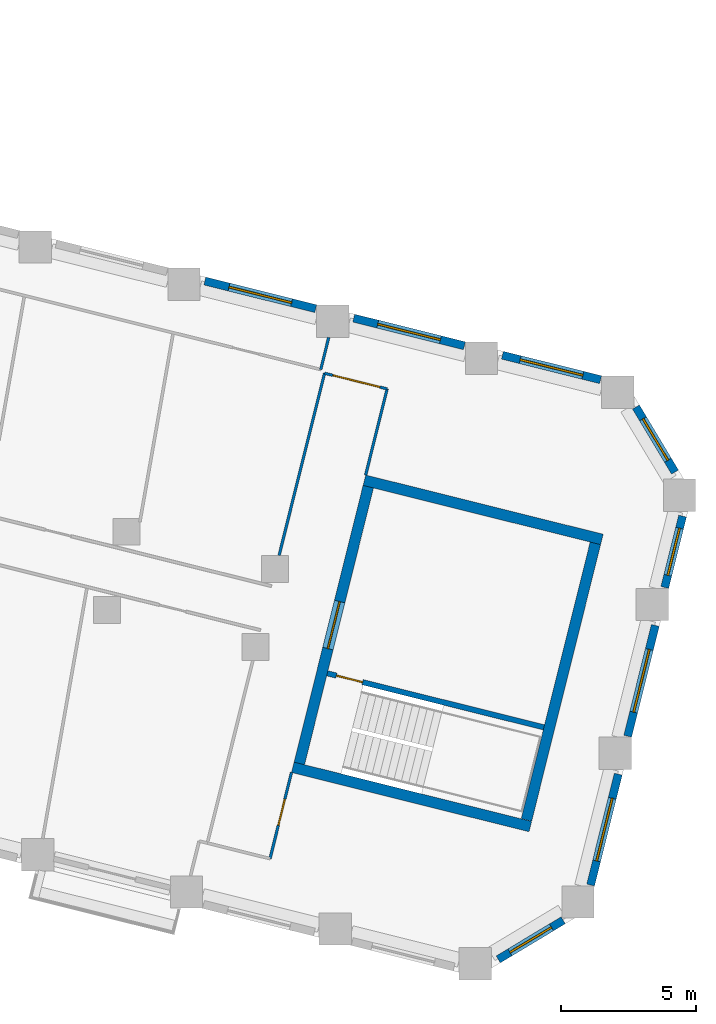
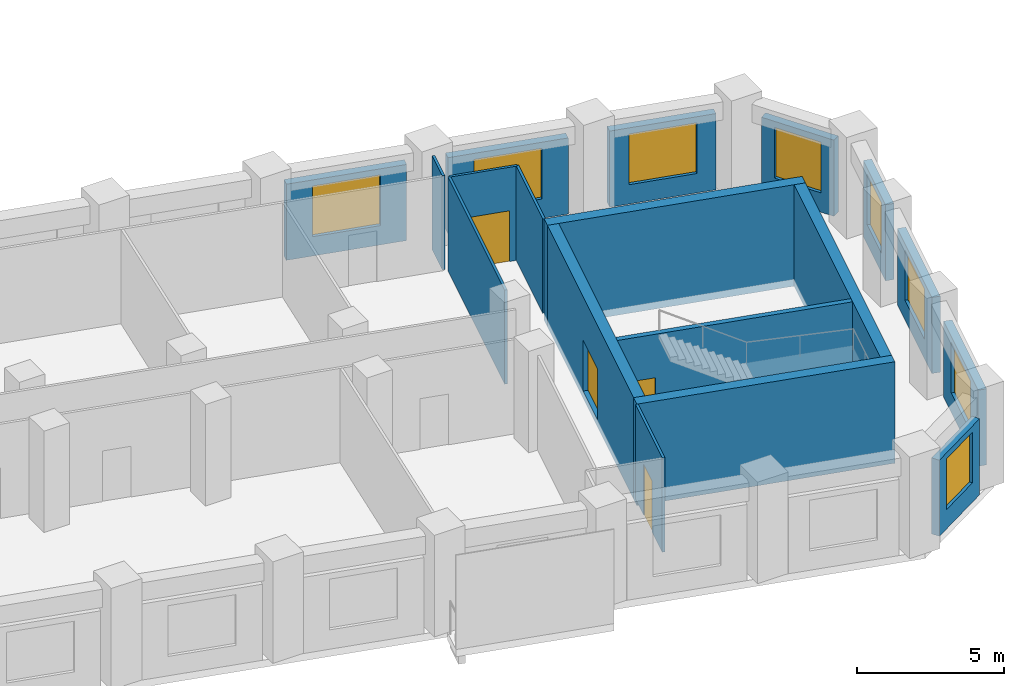
# One storey, part 7 of 10: 18 walls, 8 windows, 4 doors, 12 openings.
"""IFC4 building model written with IfcOpenShell, lengths in metres."""

from ifc_helpers import new_model, si_unit, direction, frame, frame_2d, origin, place, context, subcontext, project, spatial, rectangle, extrude, material, layer, layer_set, type_object, element, fill, save


model = new_model("IFC4")

# Units and contexts
model_context = context("Model", 3, precision=1e-05, world=origin(), true_north=direction((0.0, 1.0)))
body_context = subcontext(model_context, "Body", "Model", "MODEL_VIEW")
ifc_project = project(units=[si_unit("LENGTHUNIT", "METRE"), si_unit("AREAUNIT", "SQUARE_METRE"), si_unit("VOLUMEUNIT", "CUBIC_METRE"), si_unit("PLANEANGLEUNIT", "RADIAN"), si_unit("MASSUNIT", "GRAM", prefix="KILO")], contexts=[model_context])

# Site, building, storey
site_placement = place(None, origin())
site = spatial("IfcSite", under=ifc_project, at=site_placement, CompositionType="ELEMENT")
building_placement = place(site_placement, origin())
building = spatial("IfcBuilding", under=site, at=building_placement, Name="Meshkara Civic Tower", CompositionType="ELEMENT")
storey_placement = place(building_placement, frame((0.0, 0.0, 199.199951171875)))
storey = spatial("IfcBuildingStorey", under=building, at=storey_placement, Name="L45", CompositionType="ELEMENT", Elevation=199.199951171875)

# Wall, opening, door
ifc_material_1 = material(Name="Corridor wall 100")
ifc_layer_1 = layer(ifc_material_1, 0.10009765625)
ifc_layer_set_1 = layer_set([ifc_layer_1], Name="Corridor wall 100")
wall_type_1 = type_object("IfcWallType", Name="Corridor wall 100", PredefinedType="PARTITIONING", material=ifc_layer_set_1)
wall_1_placement = place(storey_placement, frame((64.202880859375, -13.533935546875, 0.0), z_axis=(0.0, 0.0, 1.0), x_axis=(0.241856645367, 0.970311992656, 0.0)))
wall_1 = element("IfcWall", 1, at=wall_1_placement, inside=storey, type_object=wall_type_1, Name="L45-W029", PredefinedType="PARTITIONING", context=body_context, shape_type="SweptSolid", body=[
    extrude(rectangle(XDim=3.2998046875, YDim=0.10009765625, at=frame_2d((1.64990234375, 0.0))), origin(), (0.0, 0.0, 1.0), 3.900146484375),
])
opening_1_placement = place(wall_1_placement, frame((1.280029296875, 0.0, 0.0)))
opening_1 = element("IfcOpeningElement", 2, at=opening_1_placement, cuts=wall_1, Name="Opening L45-D001", PredefinedType="OPENING", context=body_context, shape_type="SweptSolid", body=[
    extrude(rectangle(XDim=1.0, YDim=2.10009765625, at=frame_2d((0.5, 1.050048828125))), frame((0.0, 0.06005859375, 0.0), z_axis=(0.0, -1.0, 0.0), x_axis=(1.0, 0.0, 0.0)), (0.0, 0.0, 1.0), 0.1201171875),
])
ifc_material_2 = material(Name="Door 1000 x 2100")
door_type_1 = type_object("IfcDoorType", Name="Door 1000 x 2100", OperationType="SINGLE_SWING_LEFT", PredefinedType="DOOR", material=ifc_material_2)
door_1_placement = place(opening_1_placement, origin())
door_1 = element("IfcDoor", 3, at=door_1_placement, inside=storey, type_object=door_type_1, Name="L45-D001", OperationType="SINGLE_SWING_LEFT", OverallHeight=2.10009765625, OverallWidth=1.0, PredefinedType="DOOR", context=body_context, shape_type="SweptSolid", body=[
    extrude(rectangle(XDim=1.0, YDim=2.10009765625, at=frame_2d((0.5, 1.050048828125))), frame((0.0, 0.02490234375, 0.0), z_axis=(0.0, -1.0, 0.0), x_axis=(1.0, 0.0, 0.0)), (0.0, 0.0, 1.0), 0.050048828125),
])
fill(opening_1, door_1)

# Walls
wall_2_placement = place(storey_placement, frame((66.0869140625, 4.64990234375, 0.0), z_axis=(0.0, 0.0, 1.0), x_axis=(0.24202255973, 0.970270622343, 0.0)))
element("IfcWall", 4, at=wall_2_placement, inside=storey, type_object=wall_type_1, Name="L45-W030", PredefinedType="PARTITIONING", context=body_context, shape_type="SweptSolid", body=[
    extrude(rectangle(XDim=1.231689453125, YDim=0.10009765625, at=frame_2d((0.61572265625, 0.0))), origin(), (0.0, 0.0, 1.0), 3.900146484375),
])
wall_3_placement = place(storey_placement, frame((66.22900390625, 4.511962890625, 0.0), z_axis=(0.0, 0.0, 1.0), x_axis=(-0.24195951758, -0.970286345288, 0.0)))
element("IfcWall", 5, at=wall_3_placement, inside=storey, type_object=wall_type_1, Name="L45-W031", PredefinedType="PARTITIONING", context=body_context, shape_type="SweptSolid", body=[
    extrude(rectangle(XDim=6.98046875, YDim=0.10009765625, at=frame_2d((3.490234375, 0.0))), origin(), (0.0, 0.0, 1.0), 3.900146484375),
])
wall_4_placement = place(storey_placement, frame((67.759033203125, 0.72900390625, 0.0), z_axis=(0.0, 0.0, 1.0), x_axis=(0.241786986316, 0.970329352977, 0.0)))
element("IfcWall", 6, at=wall_4_placement, inside=storey, type_object=wall_type_1, Name="L45-W032", PredefinedType="PARTITIONING", context=body_context, shape_type="SweptSolid", body=[
    extrude(rectangle(XDim=3.2998046875, YDim=0.10009765625, at=frame_2d((1.64990234375, 0.0))), origin(), (0.0, 0.0, 1.0), 3.900146484375),
])

# Wall, opening, door
wall_5_placement = place(storey_placement, frame((68.556884765625, 3.930908203125, 0.0), z_axis=(0.0, 0.0, 1.0), x_axis=(-0.970232217337, 0.242176473756, 0.0)))
wall_5 = element("IfcWall", 7, at=wall_5_placement, inside=storey, type_object=wall_type_1, Name="L45-W033", PredefinedType="PARTITIONING", context=body_context, shape_type="SweptSolid", body=[
    extrude(rectangle(XDim=2.3994140625, YDim=0.10009765625, at=frame_2d((1.19970703125, 0.0))), origin(), (0.0, 0.0, 1.0), 3.900146484375),
])
opening_2_placement = place(wall_5_placement, frame((0.280029296875, 0.0, 0.0)))
opening_2 = element("IfcOpeningElement", 8, at=opening_2_placement, cuts=wall_5, Name="Opening L45-D011", PredefinedType="OPENING", context=body_context, shape_type="SweptSolid", body=[
    extrude(rectangle(XDim=1.800048828125, YDim=2.10009765625, at=frame_2d((0.89990234375, 1.050048828125))), frame((0.0, 0.06005859375, 0.0), z_axis=(0.0, -1.0, 0.0), x_axis=(1.0, 0.0, 0.0)), (0.0, 0.0, 1.0), 0.1201171875),
])
ifc_material_3 = material(Name="Door pair 1800 x 2100")
door_type_2 = type_object("IfcDoorType", Name="Door pair 1800 x 2100", OperationType="SINGLE_SWING_LEFT", PredefinedType="DOOR", material=ifc_material_3)
door_2_placement = place(opening_2_placement, origin())
door_2 = element("IfcDoor", 9, at=door_2_placement, inside=storey, type_object=door_type_2, Name="L45-D011", OperationType="DOUBLE_DOOR_SINGLE_SWING", OverallHeight=2.10009765625, OverallWidth=1.800048828125, PredefinedType="DOOR", context=body_context, shape_type="SweptSolid", body=[
    extrude(rectangle(XDim=1.800048828125, YDim=2.10009765625, at=frame_2d((0.89990234375, 1.050048828125))), frame((0.0, 0.02490234375, 0.0), z_axis=(0.0, -1.0, 0.0), x_axis=(1.0, 0.0, 0.0)), (0.0, 0.0, 1.0), 0.050048828125),
])
fill(opening_2, door_2)

# Wall, opening, window
ifc_material_4 = material(Name="Insulated infill panel with bronze anodised aluminium cladding", Category="aluminium")
ifc_layer_2 = layer(ifc_material_4, 0.300048828125)
ifc_layer_set_2 = layer_set([ifc_layer_2], Name="EXTERNAL INFILL WALL 300")
wall_type_2 = type_object("IfcWallType", Name="EXTERNAL INFILL WALL 300", PredefinedType="SOLIDWALL", material=ifc_layer_set_2)
wall_6_placement = place(storey_placement, frame((76.491943359375, 4.27197265625, 0.0), z_axis=(0.0, 0.0, 1.0), x_axis=(-0.970348377394, 0.241710625521, 0.0)))
wall_6 = element("IfcWall", 10, at=wall_6_placement, inside=storey, type_object=wall_type_2, Name="External wall", PredefinedType="SOLIDWALL", context=body_context, shape_type="SweptSolid", body=[
    extrude(rectangle(XDim=3.760498046875, YDim=0.300048828125, at=frame_2d((1.88037109375, 0.0))), origin(), (0.0, 0.0, 1.0), 3.150146484375),
])
opening_3_placement = place(wall_6_placement, frame((0.679931640625, 0.0, 0.800048828125)))
opening_3 = element("IfcOpeningElement", 11, at=opening_3_placement, cuts=wall_6, Name="Opening W7", PredefinedType="OPENING", context=body_context, shape_type="SweptSolid", body=[
    extrude(rectangle(XDim=2.39990234375, YDim=2.10009765625, at=frame_2d((1.199951171875, 1.050048828125))), frame((0.0, 0.159912109375, 0.0), z_axis=(0.0, -1.0, 0.0), x_axis=(1.0, 0.0, 0.0)), (0.0, 0.0, 1.0), 0.320068359375),
])
ifc_material_5 = material(Name="Tinted double glazing", Category="glass")
window_type_1 = type_object("IfcWindowType", Name="WINDOW 2400x2100", PartitioningType="DOUBLE_PANEL_VERTICAL", PredefinedType="WINDOW", material=ifc_material_5)
window_1_placement = place(opening_3_placement, origin())
window_1 = element("IfcWindow", 12, at=window_1_placement, inside=storey, type_object=window_type_1, Name="Window", OverallHeight=2.10009765625, OverallWidth=2.39990234375, PartitioningType="DOUBLE_PANEL_VERTICAL", PredefinedType="WINDOW", context=body_context, shape_type="SweptSolid", body=[
    extrude(rectangle(XDim=2.39990234375, YDim=2.10009765625, at=frame_2d((1.199951171875, 1.050048828125))), frame((0.0, 0.030029296875, 0.0), z_axis=(0.0, -1.0, 0.0), x_axis=(1.0, 0.0, 0.0)), (0.0, 0.0, 1.0), 0.06005859375),
])
fill(opening_3, window_1)

wall_7_placement = place(storey_placement, frame((71.431884765625, 5.532958984375, 0.0), z_axis=(0.0, 0.0, 1.0), x_axis=(-0.970301260502, 0.241899697951, 0.0)))
wall_7 = element("IfcWall", 13, at=wall_7_placement, inside=storey, type_object=wall_type_2, Name="External wall", PredefinedType="SOLIDWALL", context=body_context, shape_type="SweptSolid", body=[
    extrude(rectangle(XDim=4.24609375, YDim=0.300048828125, at=frame_2d((2.123046875, 0.0))), origin(), (0.0, 0.0, 1.0), 3.150146484375),
])
opening_4_placement = place(wall_7_placement, frame((0.923095703125, 0.0, 0.800048828125)))
opening_4 = element("IfcOpeningElement", 14, at=opening_4_placement, cuts=wall_7, Name="Opening W7", PredefinedType="OPENING", context=body_context, shape_type="SweptSolid", body=[
    extrude(rectangle(XDim=2.39990234375, YDim=2.10009765625, at=frame_2d((1.199951171875, 1.050048828125))), frame((0.0, 0.159912109375, 0.0), z_axis=(0.0, -1.0, 0.0), x_axis=(1.0, 0.0, 0.0)), (0.0, 0.0, 1.0), 0.320068359375),
])
window_2_placement = place(opening_4_placement, origin())
window_2 = element("IfcWindow", 15, at=window_2_placement, inside=storey, type_object=window_type_1, Name="Window", OverallHeight=2.10009765625, OverallWidth=2.39990234375, PartitioningType="DOUBLE_PANEL_VERTICAL", PredefinedType="WINDOW", context=body_context, shape_type="SweptSolid", body=[
    extrude(rectangle(XDim=2.39990234375, YDim=2.10009765625, at=frame_2d((1.199951171875, 1.050048828125))), frame((0.0, 0.030029296875, 0.0), z_axis=(0.0, -1.0, 0.0), x_axis=(1.0, 0.0, 0.0)), (0.0, 0.0, 1.0), 0.06005859375),
])
fill(opening_4, window_2)

wall_8_placement = place(storey_placement, frame((65.90087890625, 6.912109375, 0.0), z_axis=(0.0, 0.0, 1.0), x_axis=(-0.970260760633, 0.242062091986, 0.0)))
wall_8 = element("IfcWall", 16, at=wall_8_placement, inside=storey, type_object=wall_type_2, Name="External wall", PredefinedType="SOLIDWALL", context=body_context, shape_type="SweptSolid", body=[
    extrude(rectangle(XDim=4.24609375, YDim=0.300048828125, at=frame_2d((2.123046875, 0.0))), origin(), (0.0, 0.0, 1.0), 3.150146484375),
])
opening_5_placement = place(wall_8_placement, frame((0.923095703125, 0.0, 0.800048828125)))
opening_5 = element("IfcOpeningElement", 17, at=opening_5_placement, cuts=wall_8, Name="Opening W7", PredefinedType="OPENING", context=body_context, shape_type="SweptSolid", body=[
    extrude(rectangle(XDim=2.39990234375, YDim=2.10009765625, at=frame_2d((1.199951171875, 1.050048828125))), frame((0.0, 0.159912109375, 0.0), z_axis=(0.0, -1.0, 0.0), x_axis=(1.0, 0.0, 0.0)), (0.0, 0.0, 1.0), 0.320068359375),
])
window_3_placement = place(opening_5_placement, origin())
window_3 = element("IfcWindow", 18, at=window_3_placement, inside=storey, type_object=window_type_1, Name="Window", OverallHeight=2.10009765625, OverallWidth=2.39990234375, PartitioningType="DOUBLE_PANEL_VERTICAL", PredefinedType="WINDOW", context=body_context, shape_type="SweptSolid", body=[
    extrude(rectangle(XDim=2.39990234375, YDim=2.10009765625, at=frame_2d((1.199951171875, 1.050048828125))), frame((0.0, 0.030029296875, 0.0), z_axis=(0.0, -1.0, 0.0), x_axis=(1.0, 0.0, 0.0)), (0.0, 0.0, 1.0), 0.06005859375),
])
fill(opening_5, window_3)

wall_9_placement = place(storey_placement, frame((72.68701171875, -17.277099609375, 0.0), z_axis=(0.0, 0.0, 1.0), x_axis=(0.857309341171, 0.514801606, 0.0)))
wall_9 = element("IfcWall", 19, at=wall_9_placement, inside=storey, type_object=wall_type_2, Name="External wall", PredefinedType="SOLIDWALL", context=body_context, shape_type="SweptSolid", body=[
    extrude(rectangle(XDim=2.81689453125, YDim=0.300048828125, at=frame_2d((1.408447265625, 0.0))), origin(), (0.0, 0.0, 1.0), 3.150146484375),
])
opening_6_placement = place(wall_9_placement, frame((0.508056640625, 0.0, 0.800048828125)))
opening_6 = element("IfcOpeningElement", 20, at=opening_6_placement, cuts=wall_9, Name="Opening W9", PredefinedType="OPENING", context=body_context, shape_type="SweptSolid", body=[
    extrude(rectangle(XDim=1.800048828125, YDim=2.10009765625, at=frame_2d((0.89990234375, 1.050048828125))), frame((0.0, 0.159912109375, 0.0), z_axis=(0.0, -1.0, 0.0), x_axis=(1.0, 0.0, 0.0)), (0.0, 0.0, 1.0), 0.320068359375),
])
ifc_material_6 = material(Name="Tinted double glazing", Category="glass")
window_type_2 = type_object("IfcWindowType", Name="WINDOW 1800x2100", PartitioningType="DOUBLE_PANEL_VERTICAL", PredefinedType="WINDOW", material=ifc_material_6)
window_4_placement = place(opening_6_placement, origin())
window_4 = element("IfcWindow", 21, at=window_4_placement, inside=storey, type_object=window_type_2, Name="Window", OverallHeight=2.10009765625, OverallWidth=1.800048828125, PartitioningType="DOUBLE_PANEL_VERTICAL", PredefinedType="WINDOW", context=body_context, shape_type="SweptSolid", body=[
    extrude(rectangle(XDim=1.800048828125, YDim=2.10009765625, at=frame_2d((0.89990234375, 1.050048828125))), frame((0.0, 0.030029296875, 0.0), z_axis=(0.0, -1.0, 0.0), x_axis=(1.0, 0.0, 0.0)), (0.0, 0.0, 1.0), 0.06005859375),
])
fill(opening_6, window_4)

wall_10_placement = place(storey_placement, frame((76.12109375, -14.511962890625, 0.0), z_axis=(0.0, 0.0, 1.0), x_axis=(0.241845562088, 0.970314755169, 0.0)))
wall_10 = element("IfcWall", 22, at=wall_10_placement, inside=storey, type_object=wall_type_2, Name="External wall", PredefinedType="SOLIDWALL", context=body_context, shape_type="SweptSolid", body=[
    extrude(rectangle(XDim=4.245849609375, YDim=0.300048828125, at=frame_2d((2.123046875, 0.0))), origin(), (0.0, 0.0, 1.0), 3.150146484375),
])
opening_7_placement = place(wall_10_placement, frame((0.923095703125, 0.0, 0.800048828125)))
opening_7 = element("IfcOpeningElement", 23, at=opening_7_placement, cuts=wall_10, Name="Opening W7", PredefinedType="OPENING", context=body_context, shape_type="SweptSolid", body=[
    extrude(rectangle(XDim=2.39990234375, YDim=2.10009765625, at=frame_2d((1.199951171875, 1.050048828125))), frame((0.0, 0.159912109375, 0.0), z_axis=(0.0, -1.0, 0.0), x_axis=(1.0, 0.0, 0.0)), (0.0, 0.0, 1.0), 0.320068359375),
])
window_5_placement = place(opening_7_placement, origin())
window_5 = element("IfcWindow", 24, at=window_5_placement, inside=storey, type_object=window_type_1, Name="Window", OverallHeight=2.10009765625, OverallWidth=2.39990234375, PartitioningType="DOUBLE_PANEL_VERTICAL", PredefinedType="WINDOW", context=body_context, shape_type="SweptSolid", body=[
    extrude(rectangle(XDim=2.39990234375, YDim=2.10009765625, at=frame_2d((1.199951171875, 1.050048828125))), frame((0.0, 0.030029296875, 0.0), z_axis=(0.0, -1.0, 0.0), x_axis=(1.0, 0.0, 0.0)), (0.0, 0.0, 1.0), 0.06005859375),
])
fill(opening_7, window_5)

wall_11_placement = place(storey_placement, frame((77.5, -8.98095703125, 0.0), z_axis=(0.0, 0.0, 1.0), x_axis=(0.241682938765, 0.970355273655, 0.0)))
wall_11 = element("IfcWall", 25, at=wall_11_placement, inside=storey, type_object=wall_type_2, Name="External wall", PredefinedType="SOLIDWALL", context=body_context, shape_type="SweptSolid", body=[
    extrude(rectangle(XDim=4.24462890625, YDim=0.300048828125, at=frame_2d((2.122314453125, 0.0))), origin(), (0.0, 0.0, 1.0), 3.150146484375),
])
opening_8_placement = place(wall_11_placement, frame((0.922119140625, 0.0, 0.800048828125)))
opening_8 = element("IfcOpeningElement", 26, at=opening_8_placement, cuts=wall_11, Name="Opening W7", PredefinedType="OPENING", context=body_context, shape_type="SweptSolid", body=[
    extrude(rectangle(XDim=2.39990234375, YDim=2.10009765625, at=frame_2d((1.199951171875, 1.050048828125))), frame((0.0, 0.159912109375, 0.0), z_axis=(0.0, -1.0, 0.0), x_axis=(1.0, 0.0, 0.0)), (0.0, 0.0, 1.0), 0.320068359375),
])
window_6_placement = place(opening_8_placement, origin())
window_6 = element("IfcWindow", 27, at=window_6_placement, inside=storey, type_object=window_type_1, Name="Window", OverallHeight=2.10009765625, OverallWidth=2.39990234375, PartitioningType="DOUBLE_PANEL_VERTICAL", PredefinedType="WINDOW", context=body_context, shape_type="SweptSolid", body=[
    extrude(rectangle(XDim=2.39990234375, YDim=2.10009765625, at=frame_2d((1.199951171875, 1.050048828125))), frame((0.0, 0.030029296875, 0.0), z_axis=(0.0, -1.0, 0.0), x_axis=(1.0, 0.0, 0.0)), (0.0, 0.0, 1.0), 0.06005859375),
])
fill(opening_8, window_6)

wall_12_placement = place(storey_placement, frame((78.8779296875, -3.450927734375, 0.0), z_axis=(0.0, 0.0, 1.0), x_axis=(0.24190501074, 0.970299935988, 0.0)))
wall_12 = element("IfcWall", 28, at=wall_12_placement, inside=storey, type_object=wall_type_2, Name="External wall", PredefinedType="SOLIDWALL", context=body_context, shape_type="SweptSolid", body=[
    extrude(rectangle(XDim=2.73291015625, YDim=0.300048828125, at=frame_2d((1.366455078125, 0.0))), origin(), (0.0, 0.0, 1.0), 3.150146484375),
])
opening_9_placement = place(wall_12_placement, frame((0.466064453125, 0.0, 0.800048828125)))
opening_9 = element("IfcOpeningElement", 29, at=opening_9_placement, cuts=wall_12, Name="Opening W9", PredefinedType="OPENING", context=body_context, shape_type="SweptSolid", body=[
    extrude(rectangle(XDim=1.800048828125, YDim=2.10009765625, at=frame_2d((0.89990234375, 1.050048828125))), frame((0.0, 0.159912109375, 0.0), z_axis=(0.0, -1.0, 0.0), x_axis=(1.0, 0.0, 0.0)), (0.0, 0.0, 1.0), 0.320068359375),
])
window_7_placement = place(opening_9_placement, origin())
window_7 = element("IfcWindow", 30, at=window_7_placement, inside=storey, type_object=window_type_2, Name="Window", OverallHeight=2.10009765625, OverallWidth=1.800048828125, PartitioningType="DOUBLE_PANEL_VERTICAL", PredefinedType="WINDOW", context=body_context, shape_type="SweptSolid", body=[
    extrude(rectangle(XDim=1.800048828125, YDim=2.10009765625, at=frame_2d((0.89990234375, 1.050048828125))), frame((0.0, 0.030029296875, 0.0), z_axis=(0.0, -1.0, 0.0), x_axis=(1.0, 0.0, 0.0)), (0.0, 0.0, 1.0), 0.06005859375),
])
fill(opening_9, window_7)

wall_13_placement = place(storey_placement, frame((79.257080078125, 0.839111328125, 0.0), z_axis=(0.0, 0.0, 1.0), x_axis=(-0.514992914014, 0.857194434487, 0.0)))
wall_13 = element("IfcWall", 31, at=wall_13_placement, inside=storey, type_object=wall_type_2, Name="External wall", PredefinedType="SOLIDWALL", context=body_context, shape_type="SweptSolid", body=[
    extrude(rectangle(XDim=2.81591796875, YDim=0.300048828125, at=frame_2d((1.407958984375, 0.0))), origin(), (0.0, 0.0, 1.0), 3.150146484375),
])
opening_10_placement = place(wall_13_placement, frame((0.508056640625, 0.0, 0.800048828125)))
opening_10 = element("IfcOpeningElement", 32, at=opening_10_placement, cuts=wall_13, Name="Opening W9", PredefinedType="OPENING", context=body_context, shape_type="SweptSolid", body=[
    extrude(rectangle(XDim=1.800048828125, YDim=2.10009765625, at=frame_2d((0.89990234375, 1.050048828125))), frame((0.0, 0.159912109375, 0.0), z_axis=(0.0, -1.0, 0.0), x_axis=(1.0, 0.0, 0.0)), (0.0, 0.0, 1.0), 0.320068359375),
])
window_8_placement = place(opening_10_placement, origin())
window_8 = element("IfcWindow", 33, at=window_8_placement, inside=storey, type_object=window_type_2, Name="Window", OverallHeight=2.10009765625, OverallWidth=1.800048828125, PartitioningType="DOUBLE_PANEL_VERTICAL", PredefinedType="WINDOW", context=body_context, shape_type="SweptSolid", body=[
    extrude(rectangle(XDim=1.800048828125, YDim=2.10009765625, at=frame_2d((0.89990234375, 1.050048828125))), frame((0.0, 0.030029296875, 0.0), z_axis=(0.0, -1.0, 0.0), x_axis=(1.0, 0.0, 0.0)), (0.0, 0.0, 1.0), 0.06005859375),
])
fill(opening_10, window_8)

# Walls
ifc_material_7 = material(Name="Concrete C70", Category="concrete")
ifc_layer_3 = layer(ifc_material_7, 0.39990234375)
ifc_layer_set_3 = layer_set([ifc_layer_3], Name="End core ring wall 400 C70")
wall_type_3 = type_object("IfcWallType", Name="End core ring wall 400 C70", PredefinedType="SHEAR", material=ifc_layer_set_3)
for number, where, z_axis, x_axis, name in (
    (34, (65.050048828125, -10.137939453125, -0.300048828125), (0.0, 0.0, 1.0), (0.970273354879, -0.242011604707, 0.0), "L45-C028"),
    (35, (67.7109375, 0.534912109375, -0.300048828125), (0.0, 0.0, 1.0), (0.970306418893, -0.241879005816, 0.0), "L45-C029"),
):
    element("IfcWall", number, at=place(storey_placement, frame(where, z_axis=z_axis, x_axis=x_axis)), inside=storey, type_object=wall_type_3, Name=name, PredefinedType="SHEAR", context=body_context, shape_type="SweptSolid", body=[
        extrude(rectangle(XDim=9.099365234375, YDim=0.39990234375, at=frame_2d((4.5498046875, 0.0))), origin(), (0.0, 0.0, 1.0), 4.2001953125),
    ])

# Wall, opening, door
wall_14_placement = place(storey_placement, frame((65.2919921875, -9.991943359375, -0.300048828125), z_axis=(0.0, 0.0, 1.0), x_axis=(0.241890652548, 0.970303515509, 0.0)))
wall_14 = element("IfcWall", 36, at=wall_14_placement, inside=storey, type_object=wall_type_3, Name="L45-C030", PredefinedType="SHEAR", context=body_context, shape_type="SweptSolid", body=[
    extrude(rectangle(XDim=10.599609375, YDim=0.39990234375, at=frame_2d((5.2998046875, 0.0))), origin(), (0.0, 0.0, 1.0), 4.2001953125),
])
opening_11_placement = place(wall_14_placement, frame((4.39990234375, 0.0, 0.300048828125)))
opening_11 = element("IfcOpeningElement", 37, at=opening_11_placement, cuts=wall_14, Name="Opening L45-K202", PredefinedType="OPENING", context=body_context, shape_type="SweptSolid", body=[
    extrude(rectangle(XDim=1.800048828125, YDim=2.10009765625, at=frame_2d((0.89990234375, 1.050048828125))), frame((0.0, 0.2099609375, 0.0), z_axis=(0.0, -1.0, 0.0), x_axis=(1.0, 0.0, 0.0)), (0.0, 0.0, 1.0), 0.419921875),
])
ifc_material_8 = material(Name="Fire-rated door leaf in steel frame", Category="steel")
door_type_3 = type_object("IfcDoorType", Name="Core double door 1800 EI 60", OperationType="DOUBLE_DOOR_SINGLE_SWING", PredefinedType="DOOR", material=ifc_material_8)
door_3_placement = place(opening_11_placement, origin())
door_3 = element("IfcDoor", 38, at=door_3_placement, inside=storey, type_object=door_type_3, Name="L45-K202", OperationType="DOUBLE_DOOR_SINGLE_SWING", OverallHeight=2.10009765625, OverallWidth=1.800048828125, PredefinedType="DOOR", context=body_context, shape_type="SweptSolid", body=[
    extrude(rectangle(XDim=1.800048828125, YDim=2.10009765625, at=frame_2d((0.89990234375, 1.050048828125))), frame((0.0, 0.02490234375, 0.0), z_axis=(0.0, -1.0, 0.0), x_axis=(1.0, 0.0, 0.0)), (0.0, 0.0, 1.0), 0.050048828125),
])
fill(opening_11, door_3)

# Wall
wall_15_placement = place(storey_placement, frame((73.73388671875, -12.096923828125, -0.300048828125), z_axis=(0.0, 0.0, 1.0), x_axis=(0.241912337509, 0.970298109326, 0.0)))
element("IfcWall", 39, at=wall_15_placement, inside=storey, type_object=wall_type_3, Name="L45-C031", PredefinedType="SHEAR", context=body_context, shape_type="SweptSolid", body=[
    extrude(rectangle(XDim=10.599853515625, YDim=0.39990234375, at=frame_2d((5.2998046875, 0.0))), origin(), (0.0, 0.0, 1.0), 4.2001953125),
])

# Wall, opening, door
ifc_material_9 = material(Name="Concrete C40/50", Category="concrete")
ifc_layer_4 = layer(ifc_material_9, 0.199951171875)
ifc_layer_set_4 = layer_set([ifc_layer_4], Name="Stair enclosure wall 200 C40/50")
wall_type_4 = type_object("IfcWallType", Name="Stair enclosure wall 200 C40/50", PredefinedType="SOLIDWALL", material=ifc_layer_set_4)
wall_16_placement = place(storey_placement, frame((66.3330078125, -6.64501953125, 0.0), z_axis=(0.0, 0.0, 1.0), x_axis=(0.970289402158, -0.241947258837, 0.0)))
wall_16 = element("IfcWall", 40, at=wall_16_placement, inside=storey, type_object=wall_type_4, Name="L45-C032", PredefinedType="SOLIDWALL", context=body_context, shape_type="SweptSolid", body=[
    extrude(rectangle(XDim=8.299560546875, YDim=0.199951171875, at=frame_2d((4.14990234375, 0.0))), origin(), (0.0, 0.0, 1.0), 3.900146484375),
])
opening_12_placement = place(wall_16_placement, frame((0.35009765625, 0.0, 0.0)))
opening_12 = element("IfcOpeningElement", 41, at=opening_12_placement, cuts=wall_16, Name="Opening L45-K201", PredefinedType="OPENING", context=body_context, shape_type="SweptSolid", body=[
    extrude(rectangle(XDim=1.0, YDim=2.10009765625, at=frame_2d((0.5, 1.050048828125))), frame((0.0, 0.10986328125, 0.0), z_axis=(0.0, -1.0, 0.0), x_axis=(1.0, 0.0, 0.0)), (0.0, 0.0, 1.0), 0.219970703125),
])
ifc_material_10 = material(Name="Fire-rated door leaf in steel frame", Category="steel")
door_type_4 = type_object("IfcDoorType", Name="Stair door 1000 EI 120", OperationType="SINGLE_SWING_LEFT", PredefinedType="DOOR", material=ifc_material_10)
door_4_placement = place(opening_12_placement, origin())
door_4 = element("IfcDoor", 42, at=door_4_placement, inside=storey, type_object=door_type_4, Name="L45-K201", OperationType="SINGLE_SWING_LEFT", OverallHeight=2.10009765625, OverallWidth=1.0, PredefinedType="DOOR", context=body_context, shape_type="SweptSolid", body=[
    extrude(rectangle(XDim=1.0, YDim=2.10009765625, at=frame_2d((0.5, 1.050048828125))), frame((0.0, 0.02490234375, 0.0), z_axis=(0.0, -1.0, 0.0), x_axis=(1.0, 0.0, 0.0)), (0.0, 0.0, 1.0), 0.050048828125),
])
fill(opening_12, door_4)

save(model, "model.ifc")
